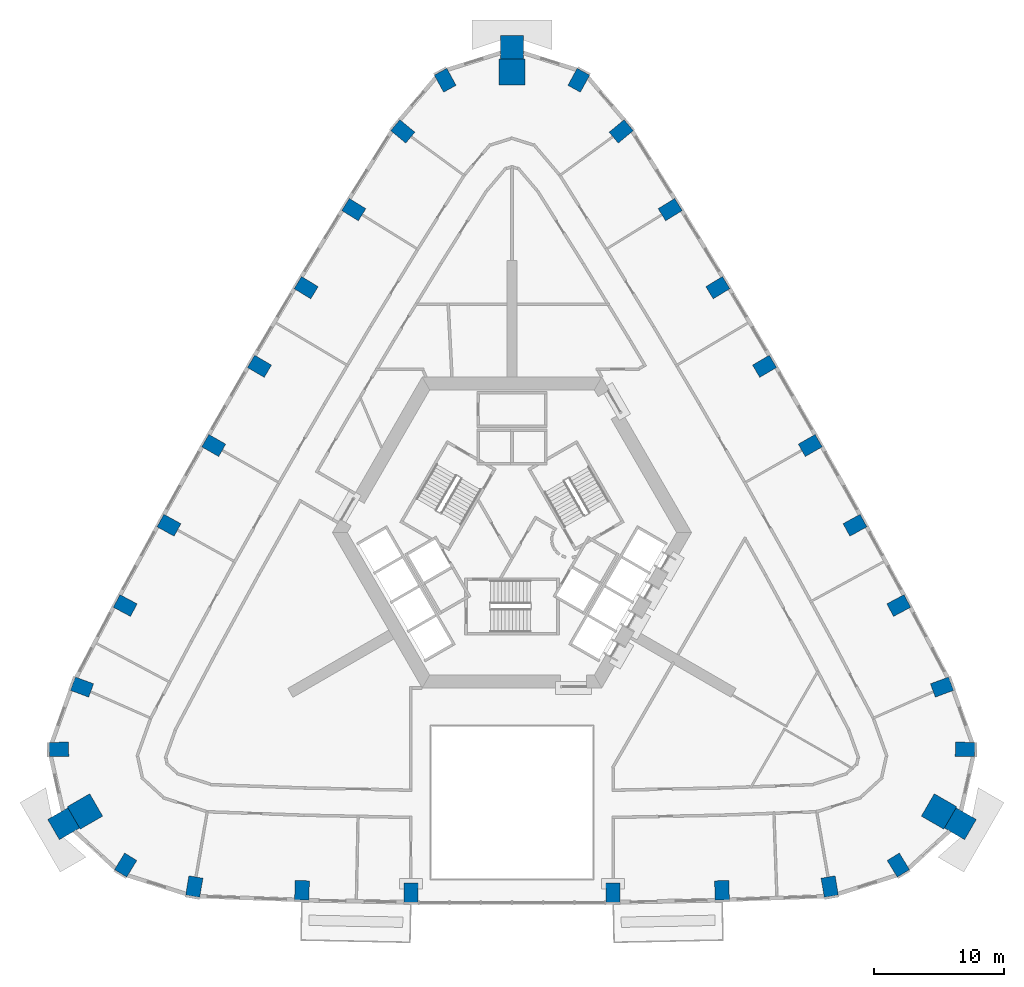
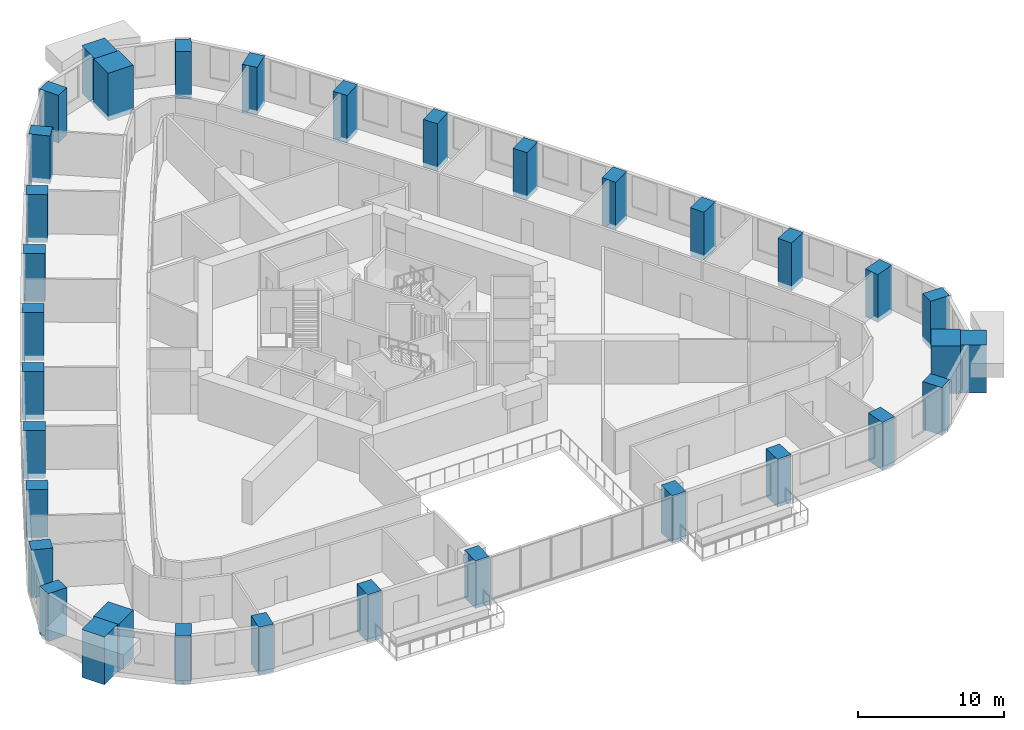
# One storey, part 1 of 14: 34 columns.
"""IFC4 building model written with IfcOpenShell, lengths in metres."""

import ifcopenshell
import ifcopenshell.guid

model = None  # the IFC model being written
_history = None  # IfcOwnerHistory: only IFC2X3 demands one
_inside = {}  # id of a spatial element -> (the spatial element, [elements in it])
_under = {}  # id of a project, library or spatial element -> (it, [spatial elements below it])
_declared = {}  # id of a project -> (the project, [libraries it declares])
_typed = {}  # id of a type object -> (the type object, [elements of that type])
_made_of = {}  # id of a material, layer set ... -> (it, [elements and type objects made of it])


def new_model(schema):
    """Start an empty IFC model of exactly this schema.

    Asked for "IFC4X3", IfcOpenShell would pick the latest addendum, in which some entities
    have other attributes; the version numbers below select the first issue.
    IFC2X3 requires an IfcOwnerHistory on every rooted entity: one is made here for all.
    """
    global model, _history
    if schema == "IFC4X3":
        model = ifcopenshell.file(schema_version=(4, 3, 0, 0))
    else:
        model = ifcopenshell.file(schema=schema)
    _inside.clear()
    _under.clear()
    _declared.clear()
    _typed.clear()
    _made_of.clear()
    _history = None
    if model.schema == "IFC2X3":
        org = make("IfcOrganization", Name="unknown")
        user = make(
            "IfcPersonAndOrganization",
            ThePerson=make("IfcPerson", FamilyName="unknown"),
            TheOrganization=org,
        )
        app = make(
            "IfcApplication",
            ApplicationDeveloper=org,
            Version="unknown",
            ApplicationFullName="unknown",
            ApplicationIdentifier="unknown",
        )
        _history = make(
            "IfcOwnerHistory",
            OwningUser=user,
            OwningApplication=app,
            ChangeAction="ADDED",
            CreationDate=0,
        )
    return model


def make(cls, **values):
    """One entity of the class cls with the attributes given. An attribute that is None is left unset."""
    return model.create_entity(
        cls, **{name: value for name, value in values.items() if value is not None}
    )


def rooted(cls, **values):
    """An entity with a GlobalId (a new one), such as an element, a storey or a relation."""
    return make(cls, GlobalId=ifcopenshell.guid.new(), OwnerHistory=_history, **values)


def si_unit(unit_type, name, prefix=None):
    """IfcSIUnit, for example si_unit("LENGTHUNIT", "METRE", prefix="MILLI")."""
    return make("IfcSIUnit", UnitType=unit_type, Prefix=prefix, Name=name)


def assignment(units):
    """IfcUnitAssignment: the units of a project."""
    return None if units is None else make("IfcUnitAssignment", Units=units)


def point(xyz):
    """IfcCartesianPoint."""
    return None if xyz is None else make("IfcCartesianPoint", Coordinates=xyz)


def direction(xyz):
    """IfcDirection."""
    return None if xyz is None else make("IfcDirection", DirectionRatios=xyz)


def frame(location, z_axis=None, x_axis=None):
    """IfcAxis2Placement3D, a coordinate frame: its origin and axes. An axis left out is left unset."""
    return make(
        "IfcAxis2Placement3D",
        Location=point(location),
        Axis=direction(z_axis),
        RefDirection=direction(x_axis),
    )


def frame_2d(location, x_axis=None):
    """IfcAxis2Placement2D, a coordinate frame in the plane: its origin and x axis."""
    return make(
        "IfcAxis2Placement2D", Location=point(location), RefDirection=direction(x_axis)
    )


def origin():
    """The frame at (0, 0, 0) with its axes left unset."""
    return frame((0.0, 0.0, 0.0))


def origin_2d():
    """The frame at (0, 0) in the plane with its x axis left unset."""
    return frame_2d((0.0, 0.0))


def place(relative_to, where):
    """IfcLocalPlacement: puts the frame where relative to a parent placement (None: the world)."""
    return make(
        "IfcLocalPlacement", PlacementRelTo=relative_to, RelativePlacement=where
    )


def context(
    kind, dimensions, precision=None, world=None, true_north=None, identifier=None
):
    """IfcGeometricRepresentationContext, for example the 3D "Model" context."""
    return make(
        "IfcGeometricRepresentationContext",
        ContextIdentifier=identifier,
        ContextType=kind,
        CoordinateSpaceDimension=dimensions,
        Precision=precision,
        WorldCoordinateSystem=world,
        TrueNorth=true_north,
    )


def subcontext(parent, identifier, kind, view, scale=None):
    """IfcGeometricRepresentationSubContext, for example "Body" below "Model"."""
    return make(
        "IfcGeometricRepresentationSubContext",
        ContextIdentifier=identifier,
        ContextType=kind,
        ParentContext=parent,
        TargetScale=scale,
        TargetView=view,
    )


def project(units=None, contexts=None):
    """IfcProject with its units and contexts."""
    return rooted(
        "IfcProject",
        Name="project",
        RepresentationContexts=contexts,
        UnitsInContext=assignment(units),
    )


def spatial(cls, under=None, at=None, **own):
    """A site, building, storey or space (cls), placed at a placement, below another one or the project."""
    s = rooted(cls, ObjectPlacement=at, **own)
    if under is not None:
        _under.setdefault(under.id(), (under, []))[1].append(s)
    return s


def profile(cls, at=None, kind="AREA", **sizes):
    """A parametric profile (cls). Its sizes go by their IFC names, for example OverallWidth=200.0."""
    return make(cls, ProfileType=kind, Position=at, **sizes)


def rectangle(**sizes):
    """IfcRectangleProfileDef."""
    return profile("IfcRectangleProfileDef", **sizes)


def extrude(swept, where, along, depth):
    """IfcExtrudedAreaSolid: the profile swept, set in the frame where, extruded along a direction by depth."""
    return make(
        "IfcExtrudedAreaSolid",
        SweptArea=swept,
        Position=where,
        ExtrudedDirection=direction(along),
        Depth=depth,
    )


def shape(context_of_items, identifier, shape_type, items):
    """IfcShapeRepresentation: the items that make up one representation, for example the "Body"."""
    return make(
        "IfcShapeRepresentation",
        ContextOfItems=context_of_items,
        RepresentationIdentifier=identifier,
        RepresentationType=shape_type,
        Items=items,
    )


def material(Name=None, Category=None):
    """IfcMaterial."""
    return make("IfcMaterial", Name=Name, Category=Category)


def material_profile(
    of_material, cross_section, Name=None, Category=None, Priority=None
):
    """IfcMaterialProfile: a cross section and its material."""
    return make(
        "IfcMaterialProfile",
        Name=Name,
        Material=of_material,
        Profile=cross_section,
        Priority=Priority,
        Category=Category,
    )


def profile_set(profiles, Name=None, composite=None):
    """IfcMaterialProfileSet."""
    return make(
        "IfcMaterialProfileSet",
        Name=Name,
        MaterialProfiles=profiles,
        CompositeProfile=composite,
    )


def made_of(thing, what):
    """Note that an element or type object is made of a material, layer set ...; save() writes the relation."""
    if what is not None:
        _made_of.setdefault(what.id(), (what, []))[1].append(thing)
    return thing


def type_object(cls, material=None, **own):
    """A type object (cls), such as IfcWallType, which elements share."""
    return made_of(rooted(cls, **own), material)


def element(
    cls,
    number,
    at=None,
    inside=None,
    cuts=None,
    type_object=None,
    material=None,
    context=None,
    identifier="Body",
    shape_type=None,
    held_by="IfcProductDefinitionShape",
    body=None,
    shapes=None,
    **own,
):
    """One element of the class cls, such as IfcWall. Its Tag is "e" and its number.

    at: its placement. inside: the storey or other place that contains it. cuts: it is an
    opening in that element (IfcRelVoidsElement). A single representation is given by context,
    identifier, shape_type and body (its items); several are given by shapes. held_by: the class
    of the entity that holds the representations. save() writes the other relations.
    """
    e = rooted(cls, Tag="e%d" % number, ObjectPlacement=at, **own)
    if body is not None:
        shapes = [shape(context, identifier, shape_type, body)]
    if shapes is not None:
        e.Representation = make(held_by, Representations=shapes)
    if inside is not None:
        _inside.setdefault(inside.id(), (inside, []))[1].append(e)
    if cuts is not None:
        rooted(
            "IfcRelVoidsElement", RelatingBuildingElement=cuts, RelatedOpeningElement=e
        )
    if type_object is not None:
        _typed.setdefault(type_object.id(), (type_object, []))[1].append(e)
    return made_of(e, material)


def aggregate(whole, parts):
    """IfcRelAggregates: a whole, such as a stair, and the parts it consists of."""
    return rooted("IfcRelAggregates", RelatingObject=whole, RelatedObjects=parts)


def save(model, path):
    """Write the relations noted so far, then the file.

    IfcRelAggregates (storeys below a building ...), IfcRelContainedInSpatialStructure (elements
    in a storey), IfcRelDefinesByType, IfcRelAssociatesMaterial and IfcRelDeclares: one each for
    every whole, place, type object, material and project.
    """
    for whole, parts in _under.values():
        aggregate(whole, parts)
    for where, things in _inside.values():
        rooted(
            "IfcRelContainedInSpatialStructure",
            RelatedElements=things,
            RelatingStructure=where,
        )
    for kind, things in _typed.values():
        rooted("IfcRelDefinesByType", RelatedObjects=things, RelatingType=kind)
    for what, things in _made_of.values():
        rooted("IfcRelAssociatesMaterial", RelatedObjects=things, RelatingMaterial=what)
    for by, libraries in _declared.values():
        rooted("IfcRelDeclares", RelatingContext=by, RelatedDefinitions=libraries)
    model.write(path)


model = new_model("IFC4")

# Units and contexts
model_context = context("Model", 3, precision=1e-05, world=origin(), true_north=direction((0.0, 1.0)))
body_context = subcontext(model_context, "Body", "Model", "MODEL_VIEW")
ifc_project = project(units=[si_unit("LENGTHUNIT", "METRE"), si_unit("AREAUNIT", "SQUARE_METRE"), si_unit("VOLUMEUNIT", "CUBIC_METRE"), si_unit("PLANEANGLEUNIT", "RADIAN"), si_unit("MASSUNIT", "GRAM", prefix="KILO")], contexts=[model_context])

# Site, building, storey
site_placement = place(None, origin())
site = spatial("IfcSite", under=ifc_project, at=site_placement, CompositionType="ELEMENT")
building_placement = place(site_placement, origin())
building = spatial("IfcBuilding", under=site, at=building_placement, Name="Entoto Arch Interchange Tower", CompositionType="ELEMENT")
storey_placement = place(building_placement, frame((0.0, 0.0, 180.199951171875)))
storey = spatial("IfcBuildingStorey", under=building, at=storey_placement, Name="L40", CompositionType="ELEMENT", Elevation=180.199951171875)

# Columns
ifc_material_1 = material(Name="Concrete C50/60", Category="concrete")
ifc_material_profile_1 = material_profile(ifc_material_1, rectangle(XDim=1.10009765625, YDim=1.5, at=origin_2d()))
ifc_profile_set_1 = profile_set([ifc_material_profile_1], Name="Concrete C50/60")
column_type_1 = type_object("IfcColumnType", Name="Column RC 1100x1500 C50/60", PredefinedType="COLUMN", material=ifc_profile_set_1)
for number, where, z_axis, x_axis, name in (
    (1, (-24.51806640625, -24.824951171875, -0.39990234375), (0.0, 0.0, 1.0), (-0.985753417505, 0.168196908046, 0.0), "Column S01 L40"),
    (2, (-16.205078125, -25.113037109375, -0.39990234375), (0.0, 0.0, 1.0), (-0.999496089207, 0.031742206272, 0.0), "Column S02 L40"),
    (3, (-7.7890625, -25.2890625, -0.39990234375), (0.0, 0.0, 1.0), (-0.999931015761, 0.011745795767, 0.0), "Column S03 L40"),
    (4, (7.7890625, -25.2890625, -0.39990234375), (0.0, 0.0, 1.0), (0.999931015761, 0.011745795767, 0.0), "Column S04 L40"),
    (5, (16.205078125, -25.113037109375, -0.39990234375), (0.0, 0.0, 1.0), (0.999496089207, 0.031742206272, 0.0), "Column S05 L40"),
    (6, (24.51806640625, -24.824951171875, -0.39990234375), (0.0, 0.0, 1.0), (0.985753417505, 0.168196908046, 0.0), "Column S06 L40"),
    (7, (29.81201171875, -23.1630859375, -0.39990234375), (0.0, 0.0, 1.0), (0.853714435155, 0.520741455243, 0.0), "Column SE1 L40"),
    (8, (34.965087890625, -14.236083984375, -0.39990234375), (0.0, 0.0, 1.0), (0.024118111467, 0.999709116043, 0.0), "Column SE3 L40"),
    (9, (33.18310546875, -9.428955078125, -0.39990234375), (0.0, 0.0, 1.0), (-0.346591874029, 0.93801603017, 0.0), "Column NE01 L40"),
    (10, (29.846923828125, -3.137939453125, -0.39990234375), (0.0, 0.0, 1.0), (-0.469856776649, 0.882742663202, 0.0), "Column NE02 L40"),
    (11, (26.468017578125, 3.05908203125, -0.39990234375), (0.0, 0.0, 1.0), (-0.481983074142, 0.876180527198, 0.0), "Column NE03 L40"),
    (12, (23.014892578125, 9.214111328125, -0.39990234375), (0.0, 0.0, 1.0), (-0.49401774245, 0.869451821635, 0.0), "Column NE04 L40"),
    (13, (19.488037109375, 15.325927734375, -0.39990234375), (0.0, 0.0, 1.0), (-0.505958493678, 0.8625578257, 0.0), "Column NE05 L40"),
    (14, (15.884033203125, 21.39306640625, -0.39990234375), (0.0, 0.0, 1.0), (-0.517803057784, 0.85549985, 0.0), "Column NE06 L40"),
    (15, (12.2060546875, 27.416015625, -0.39990234375), (0.0, 0.0, 1.0), (-0.529549183013, 0.848279236319, 0.0), "Column NE07 L40"),
    (16, (8.426025390625, 33.451904296875, -0.39990234375), (0.0, 0.0, 1.0), (-0.63904977427, 0.76916538274, 0.0), "Column NE08 L40"),
    (17, (5.154052734375, 37.39892578125, -0.39990234375), (0.0, 0.0, 1.0), (-0.877832546621, 0.4789676608, 0.0), "Column N1 L40"),
    (18, (-5.154052734375, 37.39892578125, -0.39990234375), (0.0, 0.0, 1.0), (0.877832546621, 0.4789676608, 0.0), "Column N3 L40"),
    (19, (-8.426025390625, 33.451904296875, -0.39990234375), (0.0, 0.0, 1.0), (0.63904977427, 0.76916538274, 0.0), "Column NW01 L40"),
    (20, (-12.2060546875, 27.416015625, -0.39990234375), (0.0, 0.0, 1.0), (0.529549183013, 0.848279236319, 0.0), "Column NW02 L40"),
    (21, (-15.884033203125, 21.39306640625, -0.39990234375), (0.0, 0.0, 1.0), (0.517803057784, 0.85549985, 0.0), "Column NW03 L40"),
    (22, (-19.488037109375, 15.325927734375, -0.39990234375), (0.0, 0.0, 1.0), (0.505958493678, 0.8625578257, 0.0), "Column NW04 L40"),
    (23, (-23.014892578125, 9.214111328125, -0.39990234375), (0.0, 0.0, 1.0), (0.49401774245, 0.869451821635, 0.0), "Column NW05 L40"),
    (24, (-26.468017578125, 3.05908203125, -0.39990234375), (0.0, 0.0, 1.0), (0.481983074142, 0.876180527198, 0.0), "Column NW06 L40"),
    (25, (-29.846923828125, -3.137939453125, -0.39990234375), (0.0, 0.0, 1.0), (0.469856776649, 0.882742663202, 0.0), "Column NW07 L40"),
    (26, (-33.18310546875, -9.428955078125, -0.39990234375), (0.0, 0.0, 1.0), (0.346591874029, 0.93801603017, 0.0), "Column NW08 L40"),
    (27, (-34.965087890625, -14.236083984375, -0.39990234375), (0.0, 0.0, 1.0), (-0.024118111467, 0.999709116043, 0.0), "Column SW1 L40"),
    (28, (-29.81201171875, -23.1630859375, -0.39990234375), (0.0, 0.0, 1.0), (-0.853714435155, 0.520741455243, 0.0), "Column SW3 L40"),
):
    element("IfcColumn", number, at=place(storey_placement, frame(where, z_axis=z_axis, x_axis=x_axis)), inside=storey, type_object=column_type_1, Name=name, PredefinedType="COLUMN", context=body_context, shape_type="SweptSolid", body=[
        extrude(rectangle(XDim=1.10009765625, YDim=1.5, at=origin_2d()), origin(), (0.0, 0.0, 1.0), 4.0),
    ])
ifc_material_2 = material(Name="Precast concrete C40/50", Category="concrete")
ifc_material_profile_2 = material_profile(ifc_material_2, rectangle(XDim=1.800048828125, YDim=1.800048828125, at=origin_2d()))
ifc_profile_set_2 = profile_set([ifc_material_profile_2], Name="Precast concrete C40/50")
column_type_2 = type_object("IfcColumnType", Name="Frame post RC 1800x1800 precast C40/50", PredefinedType="COLUMN", material=ifc_profile_set_2)
for number, where, z_axis, x_axis, name in (
    (29, (34.59912109375, -19.97509765625, -0.39990234375), (0.0, 0.0, 1.0), (-0.866025403784, 0.5, 0.0), "Frame post SE L40"),
    (30, (0.0, 39.950927734375, -0.39990234375), (0.0, 0.0, 1.0), (0.0, 1.0, 0.0), "Frame post N L40"),
    (31, (-34.59912109375, -19.97509765625, -0.39990234375), (0.0, 0.0, 1.0), (0.866025403784, 0.5, 0.0), "Frame post SW L40"),
):
    element("IfcColumn", number, at=place(storey_placement, frame(where, z_axis=z_axis, x_axis=x_axis)), inside=storey, type_object=column_type_2, Name=name, PredefinedType="COLUMN", context=body_context, shape_type="SweptSolid", body=[
        extrude(rectangle(XDim=1.800048828125, YDim=1.800048828125, at=origin_2d()), origin(), (0.0, 0.0, 1.0), 4.0),
    ])
ifc_material_profile_3 = material_profile(ifc_material_1, rectangle(XDim=2.0, YDim=2.0, at=origin_2d()))
ifc_profile_set_3 = profile_set([ifc_material_profile_3], Name="Concrete C50/60")
column_type_3 = type_object("IfcColumnType", Name="Mega column RC 2000x2000 C50/60", PredefinedType="COLUMN", material=ifc_profile_set_3)
for number, where, z_axis, x_axis, name in (
    (32, (32.9541015625, -19.02490234375, -0.39990234375), (0.0, 0.0, 1.0), (-0.866025403784, 0.5, 0.0), "Corner mega column SE2 L40"),
    (33, (0.0, 38.051025390625, -0.39990234375), (0.0, 0.0, 1.0), (0.0, 1.0, 0.0), "Corner mega column N2 L40"),
    (34, (-32.9541015625, -19.02490234375, -0.39990234375), (0.0, 0.0, 1.0), (0.866025403784, 0.5, 0.0), "Corner mega column SW2 L40"),
):
    element("IfcColumn", number, at=place(storey_placement, frame(where, z_axis=z_axis, x_axis=x_axis)), inside=storey, type_object=column_type_3, Name=name, PredefinedType="COLUMN", context=body_context, shape_type="SweptSolid", body=[
        extrude(rectangle(XDim=2.0, YDim=2.0, at=origin_2d()), origin(), (0.0, 0.0, 1.0), 4.0),
    ])

save(model, "model.ifc")
